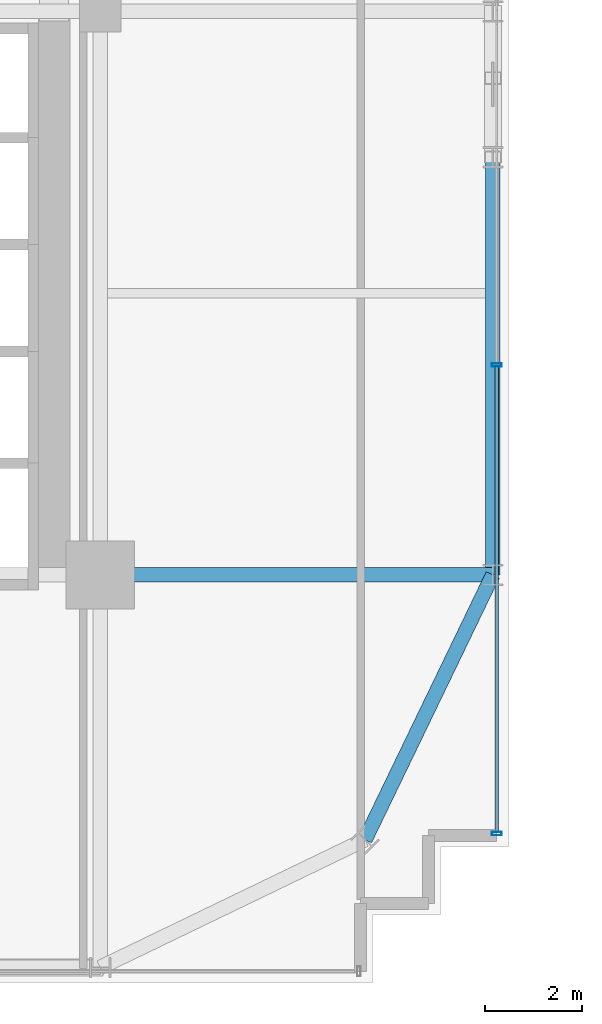
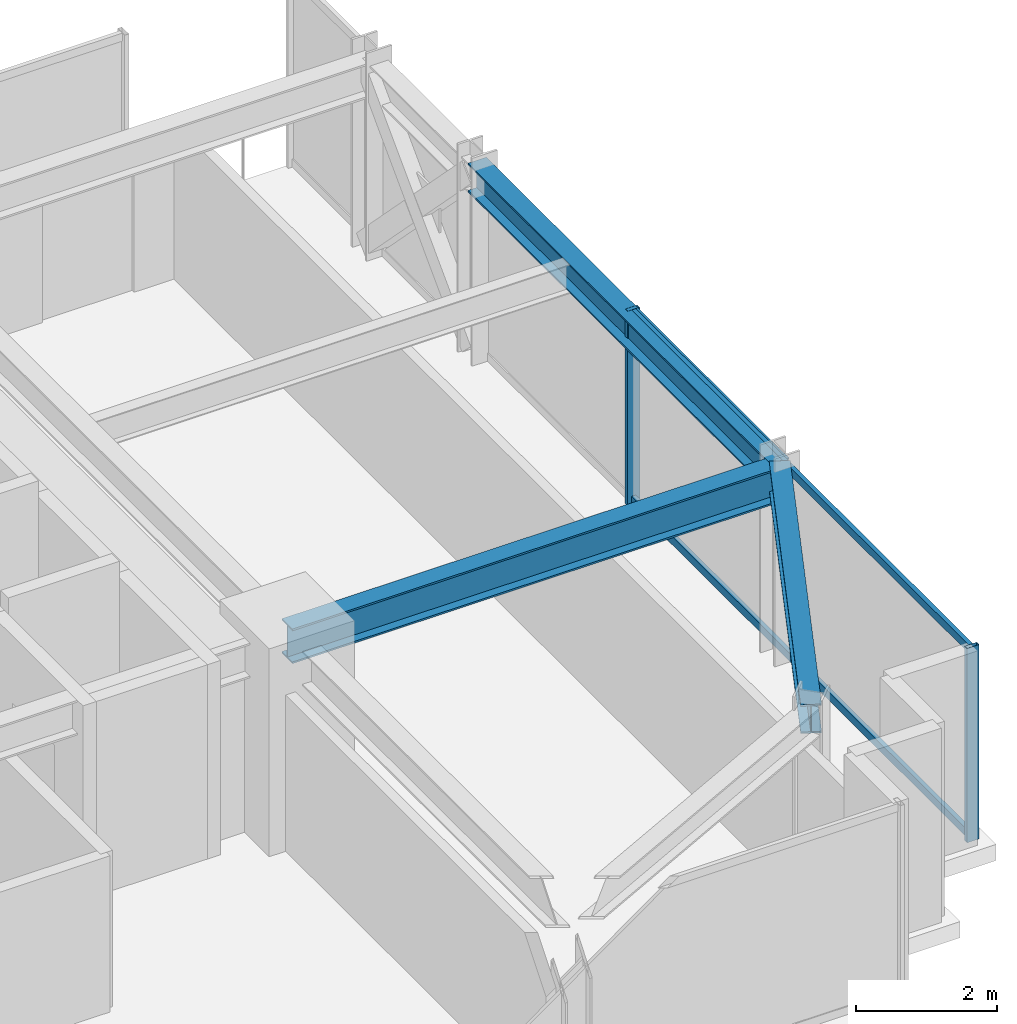
# One storey, part 13 of 35: 4 members, 3 beams, 1 element without a shape of its own.
"""IFC4 building model written with IfcOpenShell, lengths in metres."""

from ifc_helpers import new_model, si_unit, direction, frame, origin, origin_2d, place, context, subcontext, project, spatial, hollow_rectangle, i_section, extrude, source, transform, mapped, material, material_profile, profile_set, type_object, element, aggregate, save


model = new_model("IFC4")

# Units and contexts
model_context = context("Model", 3, precision=1e-05, world=origin(), true_north=direction((0.0, 1.0)))
body_context = subcontext(model_context, "Body", "Model", "MODEL_VIEW")
ifc_project = project(units=[si_unit("LENGTHUNIT", "METRE"), si_unit("AREAUNIT", "SQUARE_METRE"), si_unit("VOLUMEUNIT", "CUBIC_METRE"), si_unit("PLANEANGLEUNIT", "RADIAN"), si_unit("MASSUNIT", "GRAM", prefix="KILO")], contexts=[model_context])

# Site, building, storey
site_placement = place(None, origin())
site = spatial("IfcSite", under=ifc_project, at=site_placement, CompositionType="ELEMENT")
building_placement = place(site_placement, origin())
building = spatial("IfcBuilding", under=site, at=building_placement, Name="Nahalor Promenade Grand Hotel", CompositionType="ELEMENT")
storey_placement = place(building_placement, frame((0.0, 0.0, 43.35009765625)))
storey = spatial("IfcBuildingStorey", under=building, at=storey_placement, Name="L09", CompositionType="ELEMENT", Elevation=43.35009765625)

# Beams
ifc_material_1 = material(Name="Steel S355JR", Category="steel")
ifc_material_profile_1 = material_profile(ifc_material_1, i_section(OverallWidth=0.3, OverallDepth=0.5, WebThickness=0.0145, FlangeThickness=0.028, at=origin_2d()), Name="HEB 500")
ifc_profile_set_1 = profile_set([ifc_material_profile_1], Name="Steel S355JR")
beam_type_1 = type_object("IfcBeamType", Name="Beam-Spandrel-HEB500", PredefinedType="SPANDREL", material=ifc_profile_set_1)
shared_shape_1 = source(origin(), body_context, "Body", "SweptSolid", [
    extrude(i_section(OverallWidth=0.3, OverallDepth=0.5, WebThickness=0.0145, FlangeThickness=0.028, at=origin_2d()), origin(), (0.0, 0.0, 1.0), 8.60009765625),
])
beam_1_placement = place(storey_placement, frame((25.080078125, -17.0, 3.119873046875), z_axis=(0.0, 1.0, 0.0), x_axis=(-1.0, 0.0, 0.0)))
element("IfcBeam", 1, at=beam_1_placement, inside=storey, type_object=beam_type_1, Name="BM-L09-SP-E-0", PredefinedType="SPANDREL", context=body_context, shape_type="MappedRepresentation", body=[
    mapped(shared_shape_1, transform((0.0, 0.0, 0.0), scale=1.0)),
])
ifc_material_profile_2 = material_profile(ifc_material_1, i_section(OverallWidth=0.3, OverallDepth=0.6, WebThickness=0.0155, FlangeThickness=0.03, at=origin_2d()), Name="HEB 600")
ifc_profile_set_2 = profile_set([ifc_material_profile_2], Name="Steel S355JR")
beam_type_2 = type_object("IfcBeamType", Name="Beam-Girder-HEB600", PredefinedType="BEAM", material=ifc_profile_set_2)
shared_shape_2 = source(origin(), body_context, "Body", "SweptSolid", [
    extrude(i_section(OverallWidth=0.3, OverallDepth=0.6, WebThickness=0.0155, FlangeThickness=0.03, at=origin_2d()), origin(), (0.0, 0.0, 1.0), 8.080078125),
])
beam_2_placement = place(storey_placement, frame((17.0, -17.0, 3.06982421875), z_axis=(1.0, 0.0, 0.0), x_axis=(0.0, 1.0, 0.0)))
element("IfcBeam", 2, at=beam_2_placement, inside=storey, type_object=beam_type_2, Name="BM-L09-GX-0-6", PredefinedType="BEAM", context=body_context, shape_type="MappedRepresentation", body=[
    mapped(shared_shape_2, transform((0.0, 0.0, 0.0), scale=1.0)),
])
shared_shape_3 = source(origin(), body_context, "Body", "SweptSolid", [
    extrude(i_section(OverallWidth=0.3, OverallDepth=0.5, WebThickness=0.0145, FlangeThickness=0.028, at=origin_2d()), origin(), (0.0, 0.0, 1.0), 6.051513671875),
])
beam_3_placement = place(storey_placement, frame((22.449951171875, -22.449951171875, 3.119873046875), z_axis=(0.434630596492, 0.900608818852, 0.0), x_axis=(-0.900608818852, 0.434630596492, 0.0)))
element("IfcBeam", 3, at=beam_3_placement, inside=storey, type_object=beam_type_1, Name="BM-L09-SPC-SE-2", PredefinedType="SPANDREL", context=body_context, shape_type="MappedRepresentation", body=[
    mapped(shared_shape_3, transform((0.0, 0.0, 0.0), scale=1.0)),
])

# Curtain wall, members
ifc_material_2 = material(Name="Anodised Bronze Aluminium EN AW-6063 T6", Category="aluminium")
curtain_wall_type = type_object("IfcCurtainWallType", Name="CW3 Elliptical-Void Collar Unitised Curtain Wall", PredefinedType="USERDEFINED", material=ifc_material_2)
curtain_wall_placement = place(storey_placement, origin())
curtain_wall = element("IfcCurtainWall", 4, at=curtain_wall_placement, inside=storey, type_object=curtain_wall_type, Name="L09 Curtain Wall CW-L09-E-1", ObjectType="UNITISED_CURTAIN_WALL", PredefinedType="USERDEFINED")
ifc_material_profile_3 = material_profile(ifc_material_2, hollow_rectangle(XDim=0.07, YDim=0.2, WallThickness=0.005, at=origin_2d()), Name="CWM 70x200x5")
ifc_profile_set_3 = profile_set([ifc_material_profile_3], Name="Anodised Bronze Aluminium EN AW-6063 T6")
member_type_1 = type_object("IfcMemberType", Name="CWM3 Void Collar Mullion 70x200", PredefinedType="MULLION", material=ifc_profile_set_3)
shared_shape_4 = source(origin(), body_context, "Body", "SweptSolid", [
    extrude(hollow_rectangle(XDim=0.07, YDim=0.2, WallThickness=0.005, at=origin_2d()), origin(), (0.0, 0.0, 1.0), 3.369873046875),
])
member_1_placement = place(storey_placement, frame((25.159912109375, -22.324951171875, 0.0), z_axis=(0.0, 0.0, 1.0), x_axis=(0.0, 1.0, 0.0)))
member_1 = element("IfcMember", 5, at=member_1_placement, type_object=member_type_1, Name="CW-L09-E-1 Mullion 0", PredefinedType="MULLION", context=body_context, shape_type="MappedRepresentation", body=[
    mapped(shared_shape_4, transform((0.0, 0.0, 0.0), scale=1.0)),
])
member_2_placement = place(storey_placement, frame((25.159912109375, -12.679443359375, 0.0), z_axis=(0.0, 0.0, 1.0), x_axis=(0.0, 1.0, 0.0)))
member_2 = element("IfcMember", 6, at=member_2_placement, type_object=member_type_1, Name="CW-L09-E-1 Mullion 1", PredefinedType="MULLION", context=body_context, shape_type="MappedRepresentation", body=[
    mapped(shared_shape_4, transform((0.0, 0.0, 0.0), scale=1.0)),
])
ifc_material_profile_4 = material_profile(ifc_material_2, hollow_rectangle(XDim=0.07, YDim=0.14, WallThickness=0.004, at=origin_2d()), Name="CWT 70x140x4")
ifc_profile_set_4 = profile_set([ifc_material_profile_4], Name="Anodised Bronze Aluminium EN AW-6063 T6")
member_type_2 = type_object("IfcMemberType", Name="CWT3 Void Collar Transom 70x140", PredefinedType="USERDEFINED", material=ifc_profile_set_4)
shared_shape_5 = source(origin(), body_context, "Body", "SweptSolid", [
    extrude(hollow_rectangle(XDim=0.07, YDim=0.14, WallThickness=0.004, at=origin_2d()), origin(), (0.0, 0.0, 1.0), 9.575439453125),
])
member_3_placement = place(storey_placement, frame((25.159912109375, -22.2900390625, 0.06982421875), z_axis=(0.0, 1.0, 0.0), x_axis=(-1.0, 0.0, 0.0)))
member_3 = element("IfcMember", 7, at=member_3_placement, type_object=member_type_2, Name="CW-L09-E-1 Transom 0-0", ObjectType="TRANSOM", PredefinedType="USERDEFINED", context=body_context, shape_type="MappedRepresentation", body=[
    mapped(shared_shape_5, transform((0.0, 0.0, 0.0), scale=1.0)),
])
member_4_placement = place(storey_placement, frame((25.159912109375, -22.2900390625, 3.2998046875), z_axis=(0.0, 1.0, 0.0), x_axis=(-1.0, 0.0, 0.0)))
member_4 = element("IfcMember", 8, at=member_4_placement, type_object=member_type_2, Name="CW-L09-E-1 Transom 0-1", ObjectType="TRANSOM", PredefinedType="USERDEFINED", context=body_context, shape_type="MappedRepresentation", body=[
    mapped(shared_shape_5, transform((0.0, 0.0, 0.0), scale=1.0)),
])
aggregate(curtain_wall, [member_1, member_2, member_3, member_4])

save(model, "model.ifc")
